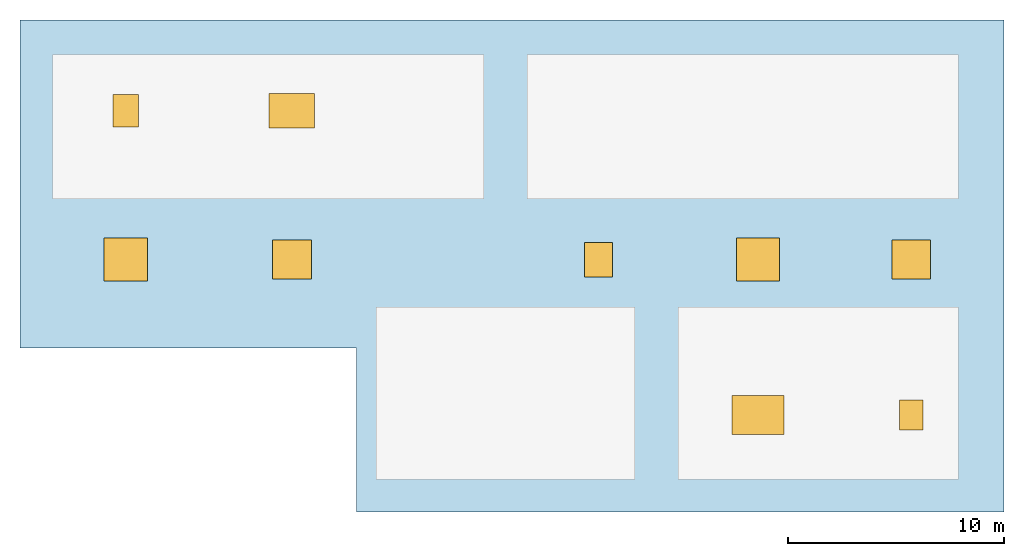
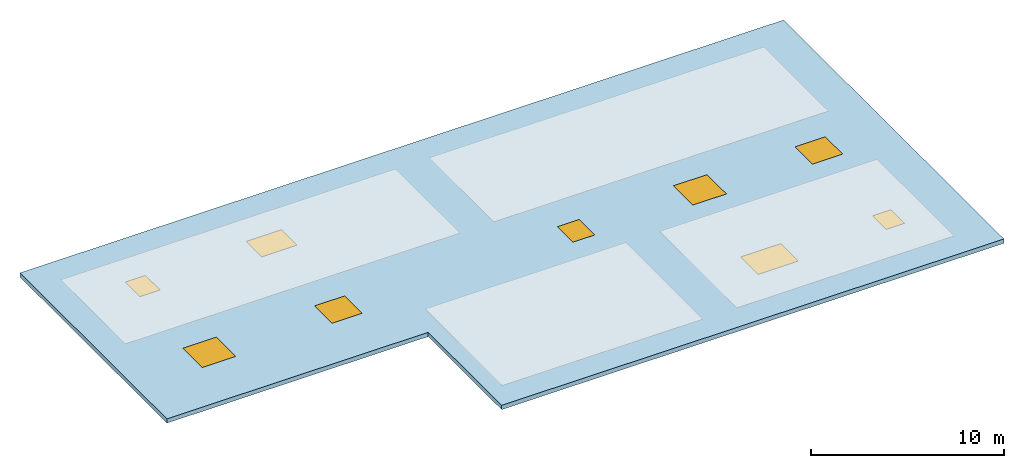
# One storey, part 1 of 2: 9 windows, 1 slab, 9 openings.
"""IFC4 building model written with IfcOpenShell, lengths in metres."""

import ifcopenshell
import ifcopenshell.guid

model = None  # the IFC model being written
_history = None  # IfcOwnerHistory: only IFC2X3 demands one
_inside = {}  # id of a spatial element -> (the spatial element, [elements in it])
_under = {}  # id of a project, library or spatial element -> (it, [spatial elements below it])
_declared = {}  # id of a project -> (the project, [libraries it declares])
_typed = {}  # id of a type object -> (the type object, [elements of that type])
_made_of = {}  # id of a material, layer set ... -> (it, [elements and type objects made of it])


def new_model(schema):
    """Start an empty IFC model of exactly this schema.

    Asked for "IFC4X3", IfcOpenShell would pick the latest addendum, in which some entities
    have other attributes; the version numbers below select the first issue.
    IFC2X3 requires an IfcOwnerHistory on every rooted entity: one is made here for all.
    """
    global model, _history
    if schema == "IFC4X3":
        model = ifcopenshell.file(schema_version=(4, 3, 0, 0))
    else:
        model = ifcopenshell.file(schema=schema)
    _inside.clear()
    _under.clear()
    _declared.clear()
    _typed.clear()
    _made_of.clear()
    _history = None
    if model.schema == "IFC2X3":
        org = make("IfcOrganization", Name="unknown")
        user = make(
            "IfcPersonAndOrganization",
            ThePerson=make("IfcPerson", FamilyName="unknown"),
            TheOrganization=org,
        )
        app = make(
            "IfcApplication",
            ApplicationDeveloper=org,
            Version="unknown",
            ApplicationFullName="unknown",
            ApplicationIdentifier="unknown",
        )
        _history = make(
            "IfcOwnerHistory",
            OwningUser=user,
            OwningApplication=app,
            ChangeAction="ADDED",
            CreationDate=0,
        )
    return model


def make(cls, **values):
    """One entity of the class cls with the attributes given. An attribute that is None is left unset."""
    return model.create_entity(
        cls, **{name: value for name, value in values.items() if value is not None}
    )


def rooted(cls, **values):
    """An entity with a GlobalId (a new one), such as an element, a storey or a relation."""
    return make(cls, GlobalId=ifcopenshell.guid.new(), OwnerHistory=_history, **values)


def si_unit(unit_type, name, prefix=None):
    """IfcSIUnit, for example si_unit("LENGTHUNIT", "METRE", prefix="MILLI")."""
    return make("IfcSIUnit", UnitType=unit_type, Prefix=prefix, Name=name)


def assignment(units):
    """IfcUnitAssignment: the units of a project."""
    return None if units is None else make("IfcUnitAssignment", Units=units)


def point(xyz):
    """IfcCartesianPoint."""
    return None if xyz is None else make("IfcCartesianPoint", Coordinates=xyz)


def direction(xyz):
    """IfcDirection."""
    return None if xyz is None else make("IfcDirection", DirectionRatios=xyz)


def frame(location, z_axis=None, x_axis=None):
    """IfcAxis2Placement3D, a coordinate frame: its origin and axes. An axis left out is left unset."""
    return make(
        "IfcAxis2Placement3D",
        Location=point(location),
        Axis=direction(z_axis),
        RefDirection=direction(x_axis),
    )


def frame_2d(location, x_axis=None):
    """IfcAxis2Placement2D, a coordinate frame in the plane: its origin and x axis."""
    return make(
        "IfcAxis2Placement2D", Location=point(location), RefDirection=direction(x_axis)
    )


def origin():
    """The frame at (0, 0, 0) with its axes left unset."""
    return frame((0.0, 0.0, 0.0))


def origin_2d():
    """The frame at (0, 0) in the plane with its x axis left unset."""
    return frame_2d((0.0, 0.0))


def place(relative_to, where):
    """IfcLocalPlacement: puts the frame where relative to a parent placement (None: the world)."""
    return make(
        "IfcLocalPlacement", PlacementRelTo=relative_to, RelativePlacement=where
    )


def context(
    kind, dimensions, precision=None, world=None, true_north=None, identifier=None
):
    """IfcGeometricRepresentationContext, for example the 3D "Model" context."""
    return make(
        "IfcGeometricRepresentationContext",
        ContextIdentifier=identifier,
        ContextType=kind,
        CoordinateSpaceDimension=dimensions,
        Precision=precision,
        WorldCoordinateSystem=world,
        TrueNorth=true_north,
    )


def subcontext(parent, identifier, kind, view, scale=None):
    """IfcGeometricRepresentationSubContext, for example "Body" below "Model"."""
    return make(
        "IfcGeometricRepresentationSubContext",
        ContextIdentifier=identifier,
        ContextType=kind,
        ParentContext=parent,
        TargetScale=scale,
        TargetView=view,
    )


def project(units=None, contexts=None):
    """IfcProject with its units and contexts."""
    return rooted(
        "IfcProject",
        Name="project",
        RepresentationContexts=contexts,
        UnitsInContext=assignment(units),
    )


def spatial(cls, under=None, at=None, **own):
    """A site, building, storey or space (cls), placed at a placement, below another one or the project."""
    s = rooted(cls, ObjectPlacement=at, **own)
    if under is not None:
        _under.setdefault(under.id(), (under, []))[1].append(s)
    return s


def polyline(points):
    """IfcPolyline through the points."""
    return make("IfcPolyline", Points=[point(p) for p in points])


def profile(cls, at=None, kind="AREA", **sizes):
    """A parametric profile (cls). Its sizes go by their IFC names, for example OverallWidth=200.0."""
    return make(cls, ProfileType=kind, Position=at, **sizes)


def rectangle(**sizes):
    """IfcRectangleProfileDef."""
    return profile("IfcRectangleProfileDef", **sizes)


def outline(outer, holes=None, kind="AREA"):
    """IfcArbitraryClosedProfileDef: a profile drawn as a closed curve; with holes, ...WithVoids."""
    if holes is None:
        return make("IfcArbitraryClosedProfileDef", ProfileType=kind, OuterCurve=outer)
    return make(
        "IfcArbitraryProfileDefWithVoids",
        ProfileType=kind,
        OuterCurve=outer,
        InnerCurves=holes,
    )


def extrude(swept, where, along, depth):
    """IfcExtrudedAreaSolid: the profile swept, set in the frame where, extruded along a direction by depth."""
    return make(
        "IfcExtrudedAreaSolid",
        SweptArea=swept,
        Position=where,
        ExtrudedDirection=direction(along),
        Depth=depth,
    )


def shape(context_of_items, identifier, shape_type, items):
    """IfcShapeRepresentation: the items that make up one representation, for example the "Body"."""
    return make(
        "IfcShapeRepresentation",
        ContextOfItems=context_of_items,
        RepresentationIdentifier=identifier,
        RepresentationType=shape_type,
        Items=items,
    )


def material(Name=None, Category=None):
    """IfcMaterial."""
    return make("IfcMaterial", Name=Name, Category=Category)


def layer(
    of_material, thickness, ventilated=None, Name=None, Category=None, Priority=None
):
    """IfcMaterialLayer: one layer of a wall or slab, of a material (None: an air gap)."""
    return make(
        "IfcMaterialLayer",
        Material=of_material,
        LayerThickness=thickness,
        IsVentilated=ventilated,
        Name=Name,
        Category=Category,
        Priority=Priority,
    )


def layer_set(layers, Name=None):
    """IfcMaterialLayerSet."""
    return make("IfcMaterialLayerSet", MaterialLayers=layers, LayerSetName=Name)


def made_of(thing, what):
    """Note that an element or type object is made of a material, layer set ...; save() writes the relation."""
    if what is not None:
        _made_of.setdefault(what.id(), (what, []))[1].append(thing)
    return thing


def type_object(cls, material=None, **own):
    """A type object (cls), such as IfcWallType, which elements share."""
    return made_of(rooted(cls, **own), material)


def element(
    cls,
    number,
    at=None,
    inside=None,
    cuts=None,
    type_object=None,
    material=None,
    context=None,
    identifier="Body",
    shape_type=None,
    held_by="IfcProductDefinitionShape",
    body=None,
    shapes=None,
    **own,
):
    """One element of the class cls, such as IfcWall. Its Tag is "e" and its number.

    at: its placement. inside: the storey or other place that contains it. cuts: it is an
    opening in that element (IfcRelVoidsElement). A single representation is given by context,
    identifier, shape_type and body (its items); several are given by shapes. held_by: the class
    of the entity that holds the representations. save() writes the other relations.
    """
    e = rooted(cls, Tag="e%d" % number, ObjectPlacement=at, **own)
    if body is not None:
        shapes = [shape(context, identifier, shape_type, body)]
    if shapes is not None:
        e.Representation = make(held_by, Representations=shapes)
    if inside is not None:
        _inside.setdefault(inside.id(), (inside, []))[1].append(e)
    if cuts is not None:
        rooted(
            "IfcRelVoidsElement", RelatingBuildingElement=cuts, RelatedOpeningElement=e
        )
    if type_object is not None:
        _typed.setdefault(type_object.id(), (type_object, []))[1].append(e)
    return made_of(e, material)


def fill(opening, filler):
    """IfcRelFillsElement: the door or window that sits in an opening."""
    return rooted(
        "IfcRelFillsElement",
        RelatingOpeningElement=opening,
        RelatedBuildingElement=filler,
    )


def aggregate(whole, parts):
    """IfcRelAggregates: a whole, such as a stair, and the parts it consists of."""
    return rooted("IfcRelAggregates", RelatingObject=whole, RelatedObjects=parts)


def save(model, path):
    """Write the relations noted so far, then the file.

    IfcRelAggregates (storeys below a building ...), IfcRelContainedInSpatialStructure (elements
    in a storey), IfcRelDefinesByType, IfcRelAssociatesMaterial and IfcRelDeclares: one each for
    every whole, place, type object, material and project.
    """
    for whole, parts in _under.values():
        aggregate(whole, parts)
    for where, things in _inside.values():
        rooted(
            "IfcRelContainedInSpatialStructure",
            RelatedElements=things,
            RelatingStructure=where,
        )
    for kind, things in _typed.values():
        rooted("IfcRelDefinesByType", RelatedObjects=things, RelatingType=kind)
    for what, things in _made_of.values():
        rooted("IfcRelAssociatesMaterial", RelatedObjects=things, RelatingMaterial=what)
    for by, libraries in _declared.values():
        rooted("IfcRelDeclares", RelatingContext=by, RelatedDefinitions=libraries)
    model.write(path)


model = new_model("IFC4")

# Units and contexts
model_context = context("Model", 3, precision=1e-05, world=origin(), true_north=direction((0.0, 1.0)))
body_context = subcontext(model_context, "Body", "Model", "MODEL_VIEW")
ifc_project = project(units=[si_unit("LENGTHUNIT", "METRE"), si_unit("AREAUNIT", "SQUARE_METRE"), si_unit("VOLUMEUNIT", "CUBIC_METRE"), si_unit("PLANEANGLEUNIT", "RADIAN"), si_unit("MASSUNIT", "GRAM", prefix="KILO")], contexts=[model_context])

# Site, building, storey
site_placement = place(None, origin())
site = spatial("IfcSite", under=ifc_project, at=site_placement, CompositionType="ELEMENT")
building_placement = place(site_placement, origin())
building = spatial("IfcBuilding", under=site, at=building_placement, Name="Valcora Specialist Clinic", CompositionType="ELEMENT")
storey_placement = place(building_placement, frame((0.0, 0.0, 25.840087890625)))
storey = spatial("IfcBuildingStorey", under=building, at=storey_placement, Name="ROOF", CompositionType="ELEMENT", Elevation=25.840087890625)

# Slab, openings, windows
ifc_material_1 = material(Name="Concrete C40/50", Category="concrete")
ifc_layer = layer(ifc_material_1, 0.27001953125)
ifc_layer_set = layer_set([ifc_layer], Name="Concrete C40/50")
slab_type = type_object("IfcSlabType", Name="TY-SL-RF270", PredefinedType="ROOF", material=ifc_layer_set)
slab_placement = place(storey_placement, frame((0.0, 0.0, -0.27001953125)))
slab = element("IfcSlab", 1, at=slab_placement, inside=storey, type_object=slab_type, Name="V5 main roof deck SL-ROOF-094", PredefinedType="ROOF", context=body_context, shape_type="SweptSolid", body=[
    extrude(outline(polyline([(15.60009765625, 0.0), (45.60009765625, 0.0), (45.60009765625, 22.800048828125), (0.0, 22.800048828125), (0.0, 7.60009765625), (15.60009765625, 7.60009765625), (15.60009765625, 0.0)]), holes=[polyline([(3.89990234375, 10.699951171875), (5.89990234375, 10.699951171875), (5.89990234375, 12.699951171875), (3.89990234375, 12.699951171875), (3.89990234375, 10.699951171875)]), polyline([(11.699951171875, 10.800048828125), (13.5, 10.800048828125), (13.5, 12.60009765625), (11.699951171875, 12.60009765625), (11.699951171875, 10.800048828125)]), polyline([(11.550048828125, 17.800048828125), (13.64990234375, 17.800048828125), (13.64990234375, 19.39990234375), (11.550048828125, 19.39990234375), (11.550048828125, 17.800048828125)]), polyline([(33.0, 3.60009765625), (35.39990234375, 3.60009765625), (35.39990234375, 5.39990234375), (33.0, 5.39990234375), (33.0, 3.60009765625)]), polyline([(33.199951171875, 10.699951171875), (35.199951171875, 10.699951171875), (35.199951171875, 12.699951171875), (33.199951171875, 12.699951171875), (33.199951171875, 10.699951171875)]), polyline([(40.39990234375, 10.800048828125), (42.199951171875, 10.800048828125), (42.199951171875, 12.60009765625), (40.39990234375, 12.60009765625), (40.39990234375, 10.800048828125)]), polyline([(4.300048828125, 17.85009765625), (5.5, 17.85009765625), (5.5, 19.35009765625), (4.300048828125, 19.35009765625), (4.300048828125, 17.85009765625)]), polyline([(26.14990234375, 10.89990234375), (27.449951171875, 10.89990234375), (27.449951171875, 12.5), (26.14990234375, 12.5), (26.14990234375, 10.89990234375)]), polyline([(40.75, 3.800048828125), (41.85009765625, 3.800048828125), (41.85009765625, 5.199951171875), (40.75, 5.199951171875), (40.75, 3.800048828125)])]), origin(), (0.0, 0.0, 1.0), 0.27001953125),
])
opening_1_placement = place(slab_placement, frame((4.89990234375, 11.699951171875, -0.010009765625)))
opening_1 = element("IfcOpeningElement", 2, at=opening_1_placement, cuts=slab, Name="Opening SK-04", PredefinedType="OPENING", context=body_context, shape_type="SweptSolid", body=[
    extrude(rectangle(XDim=2.0, YDim=2.0, at=origin_2d()), origin(), (0.0, 0.0, 1.0), 0.2900390625),
])
opening_2_placement = place(slab_placement, frame((12.60009765625, 11.699951171875, -0.010009765625)))
opening_2 = element("IfcOpeningElement", 3, at=opening_2_placement, cuts=slab, Name="Opening SK-01", PredefinedType="OPENING", context=body_context, shape_type="SweptSolid", body=[
    extrude(rectangle(XDim=1.800048828125, YDim=1.800048828125, at=origin_2d()), origin(), (0.0, 0.0, 1.0), 0.2900390625),
])
opening_3_placement = place(slab_placement, frame((12.60009765625, 18.60009765625, -0.010009765625)))
opening_3 = element("IfcOpeningElement", 4, at=opening_3_placement, cuts=slab, Name="Opening SK-02", PredefinedType="OPENING", context=body_context, shape_type="SweptSolid", body=[
    extrude(rectangle(XDim=2.10009765625, YDim=1.60009765625, at=origin_2d()), origin(), (0.0, 0.0, 1.0), 0.2900390625),
])
opening_4_placement = place(slab_placement, frame((34.199951171875, 4.5, -0.010009765625)))
opening_4 = element("IfcOpeningElement", 5, at=opening_4_placement, cuts=slab, Name="Opening SK-03", PredefinedType="OPENING", context=body_context, shape_type="SweptSolid", body=[
    extrude(rectangle(XDim=2.39990234375, YDim=1.800048828125, at=origin_2d()), origin(), (0.0, 0.0, 1.0), 0.2900390625),
])
opening_5_placement = place(slab_placement, frame((34.199951171875, 11.699951171875, -0.010009765625)))
opening_5 = element("IfcOpeningElement", 6, at=opening_5_placement, cuts=slab, Name="Opening SK-04", PredefinedType="OPENING", context=body_context, shape_type="SweptSolid", body=[
    extrude(rectangle(XDim=2.0, YDim=2.0, at=origin_2d()), origin(), (0.0, 0.0, 1.0), 0.2900390625),
])
opening_6_placement = place(slab_placement, frame((41.300048828125, 11.699951171875, -0.010009765625)))
opening_6 = element("IfcOpeningElement", 7, at=opening_6_placement, cuts=slab, Name="Opening SK-01", PredefinedType="OPENING", context=body_context, shape_type="SweptSolid", body=[
    extrude(rectangle(XDim=1.800048828125, YDim=1.800048828125, at=origin_2d()), origin(), (0.0, 0.0, 1.0), 0.2900390625),
])
opening_7_placement = place(slab_placement, frame((4.89990234375, 18.60009765625, -0.010009765625)))
opening_7 = element("IfcOpeningElement", 8, at=opening_7_placement, cuts=slab, Name="Opening RH-02", PredefinedType="OPENING", context=body_context, shape_type="SweptSolid", body=[
    extrude(rectangle(XDim=1.199951171875, YDim=1.5, at=origin_2d()), origin(), (0.0, 0.0, 1.0), 0.2900390625),
])
opening_8_placement = place(slab_placement, frame((26.800048828125, 11.699951171875, -0.010009765625)))
opening_8 = element("IfcOpeningElement", 9, at=opening_8_placement, cuts=slab, Name="Opening RH-03", PredefinedType="OPENING", context=body_context, shape_type="SweptSolid", body=[
    extrude(rectangle(XDim=1.300048828125, YDim=1.60009765625, at=origin_2d()), origin(), (0.0, 0.0, 1.0), 0.2900390625),
])
opening_9_placement = place(slab_placement, frame((41.300048828125, 4.5, -0.010009765625)))
opening_9 = element("IfcOpeningElement", 10, at=opening_9_placement, cuts=slab, Name="Opening RH-01", PredefinedType="OPENING", context=body_context, shape_type="SweptSolid", body=[
    extrude(rectangle(XDim=1.10009765625, YDim=1.39990234375, at=origin_2d()), origin(), (0.0, 0.0, 1.0), 0.2900390625),
])
ifc_material_2 = material(Name="Low-E Laminated Insulating Glass", Category="glass")
window_type_1 = type_object("IfcWindowType", Name="TY-RH-01", PartitioningType="SINGLE_PANEL", PredefinedType="LIGHTDOME", material=ifc_material_2)
window_1_placement = place(slab_placement, frame((41.300048828125, 4.5, 0.219970703125)))
window_1 = element("IfcWindow", 11, at=window_1_placement, inside=storey, type_object=window_type_1, Name="Roof access hatch RH-06", OverallHeight=1.39990234375, OverallWidth=1.10009765625, PartitioningType="SINGLE_PANEL", PredefinedType="LIGHTDOME", context=body_context, shape_type="SweptSolid", body=[
    extrude(rectangle(XDim=1.10009765625, YDim=1.39990234375, at=origin_2d()), origin(), (0.0, 0.0, 1.0), 0.050048828125),
])
fill(opening_9, window_1)
window_type_2 = type_object("IfcWindowType", Name="TY-RH-02", PartitioningType="SINGLE_PANEL", PredefinedType="LIGHTDOME", material=ifc_material_2)
window_2_placement = place(slab_placement, frame((4.89990234375, 18.60009765625, 0.219970703125)))
window_2 = element("IfcWindow", 12, at=window_2_placement, inside=storey, type_object=window_type_2, Name="Roof access hatch RH-04", OverallHeight=1.5, OverallWidth=1.199951171875, PartitioningType="SINGLE_PANEL", PredefinedType="LIGHTDOME", context=body_context, shape_type="SweptSolid", body=[
    extrude(rectangle(XDim=1.199951171875, YDim=1.5, at=origin_2d()), origin(), (0.0, 0.0, 1.0), 0.050048828125),
])
fill(opening_7, window_2)
window_type_3 = type_object("IfcWindowType", Name="TY-RH-03", PartitioningType="SINGLE_PANEL", PredefinedType="LIGHTDOME", material=ifc_material_2)
window_3_placement = place(slab_placement, frame((26.800048828125, 11.699951171875, 0.219970703125)))
window_3 = element("IfcWindow", 13, at=window_3_placement, inside=storey, type_object=window_type_3, Name="Roof access hatch RH-05", OverallHeight=1.60009765625, OverallWidth=1.300048828125, PartitioningType="SINGLE_PANEL", PredefinedType="LIGHTDOME", context=body_context, shape_type="SweptSolid", body=[
    extrude(rectangle(XDim=1.300048828125, YDim=1.60009765625, at=origin_2d()), origin(), (0.0, 0.0, 1.0), 0.050048828125),
])
fill(opening_8, window_3)
window_type_4 = type_object("IfcWindowType", Name="TY-SK-01", PartitioningType="SINGLE_PANEL", PredefinedType="SKYLIGHT", material=ifc_material_2)
window_4_placement = place(slab_placement, frame((12.60009765625, 11.699951171875, 0.219970703125)))
window_4 = element("IfcWindow", 14, at=window_4_placement, inside=storey, type_object=window_type_4, Name="Daylight roof skylight SK-08", OverallHeight=1.800048828125, OverallWidth=1.800048828125, PartitioningType="SINGLE_PANEL", PredefinedType="SKYLIGHT", context=body_context, shape_type="SweptSolid", body=[
    extrude(rectangle(XDim=1.800048828125, YDim=1.800048828125, at=origin_2d()), origin(), (0.0, 0.0, 1.0), 0.050048828125),
])
fill(opening_2, window_4)
window_5_placement = place(slab_placement, frame((41.300048828125, 11.699951171875, 0.219970703125)))
window_5 = element("IfcWindow", 15, at=window_5_placement, inside=storey, type_object=window_type_4, Name="Daylight roof skylight SK-12", OverallHeight=1.800048828125, OverallWidth=1.800048828125, PartitioningType="SINGLE_PANEL", PredefinedType="SKYLIGHT", context=body_context, shape_type="SweptSolid", body=[
    extrude(rectangle(XDim=1.800048828125, YDim=1.800048828125, at=origin_2d()), origin(), (0.0, 0.0, 1.0), 0.050048828125),
])
fill(opening_6, window_5)
window_type_5 = type_object("IfcWindowType", Name="TY-SK-02", PartitioningType="SINGLE_PANEL", PredefinedType="SKYLIGHT", material=ifc_material_2)
window_6_placement = place(slab_placement, frame((12.60009765625, 18.60009765625, 0.219970703125)))
window_6 = element("IfcWindow", 16, at=window_6_placement, inside=storey, type_object=window_type_5, Name="Daylight roof skylight SK-09", OverallHeight=1.60009765625, OverallWidth=2.10009765625, PartitioningType="SINGLE_PANEL", PredefinedType="SKYLIGHT", context=body_context, shape_type="SweptSolid", body=[
    extrude(rectangle(XDim=2.10009765625, YDim=1.60009765625, at=origin_2d()), origin(), (0.0, 0.0, 1.0), 0.050048828125),
])
fill(opening_3, window_6)
window_type_6 = type_object("IfcWindowType", Name="TY-SK-03", PartitioningType="SINGLE_PANEL", PredefinedType="SKYLIGHT", material=ifc_material_2)
window_7_placement = place(slab_placement, frame((34.199951171875, 4.5, 0.219970703125)))
window_7 = element("IfcWindow", 17, at=window_7_placement, inside=storey, type_object=window_type_6, Name="Daylight roof skylight SK-10", OverallHeight=1.800048828125, OverallWidth=2.39990234375, PartitioningType="SINGLE_PANEL", PredefinedType="SKYLIGHT", context=body_context, shape_type="SweptSolid", body=[
    extrude(rectangle(XDim=2.39990234375, YDim=1.800048828125, at=origin_2d()), origin(), (0.0, 0.0, 1.0), 0.050048828125),
])
fill(opening_4, window_7)
window_type_7 = type_object("IfcWindowType", Name="TY-SK-04", PartitioningType="SINGLE_PANEL", PredefinedType="SKYLIGHT", material=ifc_material_2)
window_8_placement = place(slab_placement, frame((4.89990234375, 11.699951171875, 0.219970703125)))
window_8 = element("IfcWindow", 18, at=window_8_placement, inside=storey, type_object=window_type_7, Name="Daylight roof skylight SK-07", OverallHeight=2.0, OverallWidth=2.0, PartitioningType="SINGLE_PANEL", PredefinedType="SKYLIGHT", context=body_context, shape_type="SweptSolid", body=[
    extrude(rectangle(XDim=2.0, YDim=2.0, at=origin_2d()), origin(), (0.0, 0.0, 1.0), 0.050048828125),
])
fill(opening_1, window_8)
window_9_placement = place(slab_placement, frame((34.199951171875, 11.699951171875, 0.219970703125)))
window_9 = element("IfcWindow", 19, at=window_9_placement, inside=storey, type_object=window_type_7, Name="Daylight roof skylight SK-11", OverallHeight=2.0, OverallWidth=2.0, PartitioningType="SINGLE_PANEL", PredefinedType="SKYLIGHT", context=body_context, shape_type="SweptSolid", body=[
    extrude(rectangle(XDim=2.0, YDim=2.0, at=origin_2d()), origin(), (0.0, 0.0, 1.0), 0.050048828125),
])
fill(opening_5, window_9)

save(model, "model.ifc")
